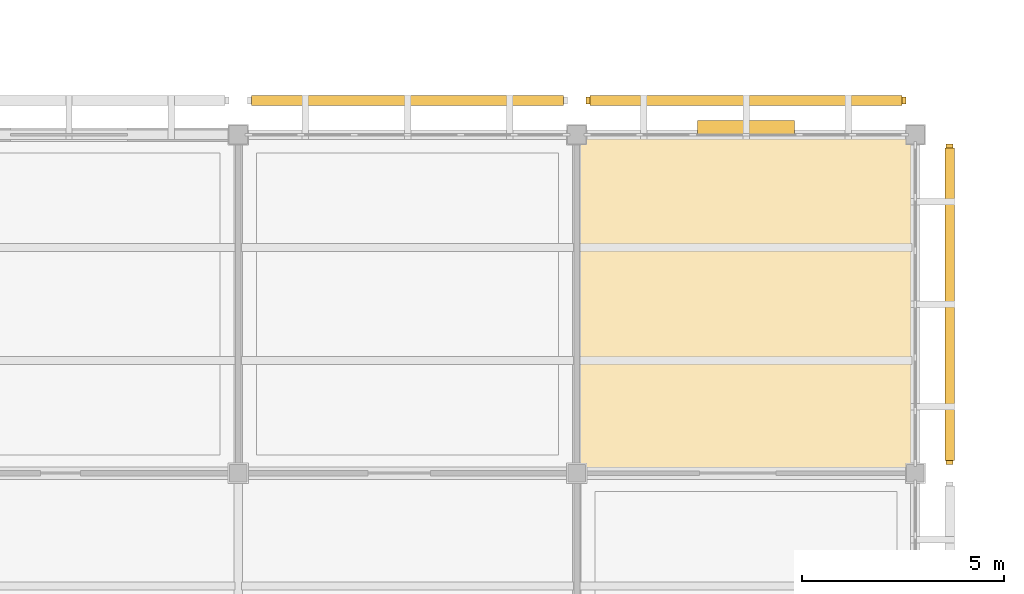
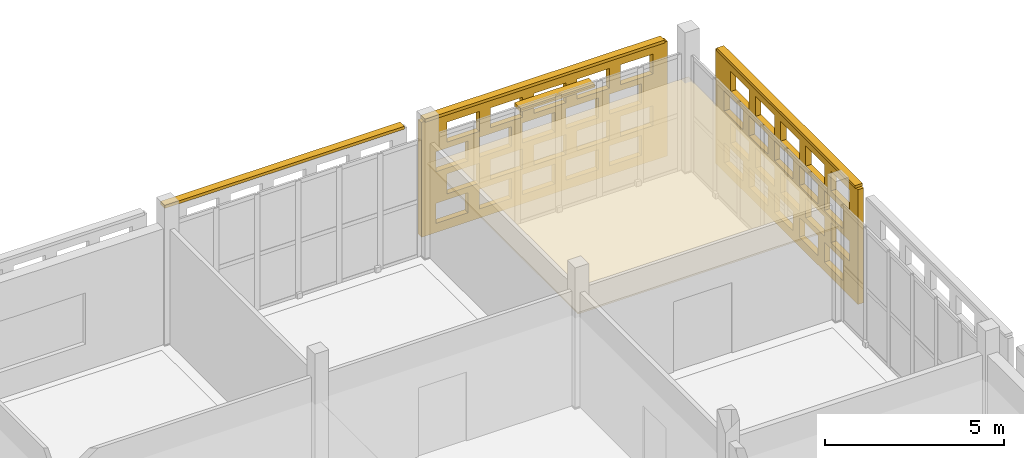
# One storey, part 203 of 203: 4 shading devices, 3 coverings, 40 openings.
"""IFC4 building model written with IfcOpenShell, lengths in metres."""

import ifcopenshell
import ifcopenshell.guid

model = None  # the IFC model being written
_history = None  # IfcOwnerHistory: only IFC2X3 demands one
_inside = {}  # id of a spatial element -> (the spatial element, [elements in it])
_under = {}  # id of a project, library or spatial element -> (it, [spatial elements below it])
_declared = {}  # id of a project -> (the project, [libraries it declares])
_typed = {}  # id of a type object -> (the type object, [elements of that type])
_made_of = {}  # id of a material, layer set ... -> (it, [elements and type objects made of it])


def new_model(schema):
    """Start an empty IFC model of exactly this schema.

    Asked for "IFC4X3", IfcOpenShell would pick the latest addendum, in which some entities
    have other attributes; the version numbers below select the first issue.
    IFC2X3 requires an IfcOwnerHistory on every rooted entity: one is made here for all.
    """
    global model, _history
    if schema == "IFC4X3":
        model = ifcopenshell.file(schema_version=(4, 3, 0, 0))
    else:
        model = ifcopenshell.file(schema=schema)
    _inside.clear()
    _under.clear()
    _declared.clear()
    _typed.clear()
    _made_of.clear()
    _history = None
    if model.schema == "IFC2X3":
        org = make("IfcOrganization", Name="unknown")
        user = make(
            "IfcPersonAndOrganization",
            ThePerson=make("IfcPerson", FamilyName="unknown"),
            TheOrganization=org,
        )
        app = make(
            "IfcApplication",
            ApplicationDeveloper=org,
            Version="unknown",
            ApplicationFullName="unknown",
            ApplicationIdentifier="unknown",
        )
        _history = make(
            "IfcOwnerHistory",
            OwningUser=user,
            OwningApplication=app,
            ChangeAction="ADDED",
            CreationDate=0,
        )
    return model


def make(cls, **values):
    """One entity of the class cls with the attributes given. An attribute that is None is left unset."""
    return model.create_entity(
        cls, **{name: value for name, value in values.items() if value is not None}
    )


def rooted(cls, **values):
    """An entity with a GlobalId (a new one), such as an element, a storey or a relation."""
    return make(cls, GlobalId=ifcopenshell.guid.new(), OwnerHistory=_history, **values)


def si_unit(unit_type, name, prefix=None):
    """IfcSIUnit, for example si_unit("LENGTHUNIT", "METRE", prefix="MILLI")."""
    return make("IfcSIUnit", UnitType=unit_type, Prefix=prefix, Name=name)


def assignment(units):
    """IfcUnitAssignment: the units of a project."""
    return None if units is None else make("IfcUnitAssignment", Units=units)


def point(xyz):
    """IfcCartesianPoint."""
    return None if xyz is None else make("IfcCartesianPoint", Coordinates=xyz)


def direction(xyz):
    """IfcDirection."""
    return None if xyz is None else make("IfcDirection", DirectionRatios=xyz)


def frame(location, z_axis=None, x_axis=None):
    """IfcAxis2Placement3D, a coordinate frame: its origin and axes. An axis left out is left unset."""
    return make(
        "IfcAxis2Placement3D",
        Location=point(location),
        Axis=direction(z_axis),
        RefDirection=direction(x_axis),
    )


def frame_2d(location, x_axis=None):
    """IfcAxis2Placement2D, a coordinate frame in the plane: its origin and x axis."""
    return make(
        "IfcAxis2Placement2D", Location=point(location), RefDirection=direction(x_axis)
    )


def origin():
    """The frame at (0, 0, 0) with its axes left unset."""
    return frame((0.0, 0.0, 0.0))


def origin_2d():
    """The frame at (0, 0) in the plane with its x axis left unset."""
    return frame_2d((0.0, 0.0))


def place(relative_to, where):
    """IfcLocalPlacement: puts the frame where relative to a parent placement (None: the world)."""
    return make(
        "IfcLocalPlacement", PlacementRelTo=relative_to, RelativePlacement=where
    )


def context(
    kind, dimensions, precision=None, world=None, true_north=None, identifier=None
):
    """IfcGeometricRepresentationContext, for example the 3D "Model" context."""
    return make(
        "IfcGeometricRepresentationContext",
        ContextIdentifier=identifier,
        ContextType=kind,
        CoordinateSpaceDimension=dimensions,
        Precision=precision,
        WorldCoordinateSystem=world,
        TrueNorth=true_north,
    )


def subcontext(parent, identifier, kind, view, scale=None):
    """IfcGeometricRepresentationSubContext, for example "Body" below "Model"."""
    return make(
        "IfcGeometricRepresentationSubContext",
        ContextIdentifier=identifier,
        ContextType=kind,
        ParentContext=parent,
        TargetScale=scale,
        TargetView=view,
    )


def project(units=None, contexts=None):
    """IfcProject with its units and contexts."""
    return rooted(
        "IfcProject",
        Name="project",
        RepresentationContexts=contexts,
        UnitsInContext=assignment(units),
    )


def spatial(cls, under=None, at=None, **own):
    """A site, building, storey or space (cls), placed at a placement, below another one or the project."""
    s = rooted(cls, ObjectPlacement=at, **own)
    if under is not None:
        _under.setdefault(under.id(), (under, []))[1].append(s)
    return s


def profile(cls, at=None, kind="AREA", **sizes):
    """A parametric profile (cls). Its sizes go by their IFC names, for example OverallWidth=200.0."""
    return make(cls, ProfileType=kind, Position=at, **sizes)


def rectangle(**sizes):
    """IfcRectangleProfileDef."""
    return profile("IfcRectangleProfileDef", **sizes)


def extrude(swept, where, along, depth):
    """IfcExtrudedAreaSolid: the profile swept, set in the frame where, extruded along a direction by depth."""
    return make(
        "IfcExtrudedAreaSolid",
        SweptArea=swept,
        Position=where,
        ExtrudedDirection=direction(along),
        Depth=depth,
    )


def shape(context_of_items, identifier, shape_type, items):
    """IfcShapeRepresentation: the items that make up one representation, for example the "Body"."""
    return make(
        "IfcShapeRepresentation",
        ContextOfItems=context_of_items,
        RepresentationIdentifier=identifier,
        RepresentationType=shape_type,
        Items=items,
    )


def material(Name=None, Category=None):
    """IfcMaterial."""
    return make("IfcMaterial", Name=Name, Category=Category)


def layer(
    of_material, thickness, ventilated=None, Name=None, Category=None, Priority=None
):
    """IfcMaterialLayer: one layer of a wall or slab, of a material (None: an air gap)."""
    return make(
        "IfcMaterialLayer",
        Material=of_material,
        LayerThickness=thickness,
        IsVentilated=ventilated,
        Name=Name,
        Category=Category,
        Priority=Priority,
    )


def layer_set(layers, Name=None):
    """IfcMaterialLayerSet."""
    return make("IfcMaterialLayerSet", MaterialLayers=layers, LayerSetName=Name)


def made_of(thing, what):
    """Note that an element or type object is made of a material, layer set ...; save() writes the relation."""
    if what is not None:
        _made_of.setdefault(what.id(), (what, []))[1].append(thing)
    return thing


def type_object(cls, material=None, **own):
    """A type object (cls), such as IfcWallType, which elements share."""
    return made_of(rooted(cls, **own), material)


def element(
    cls,
    number,
    at=None,
    inside=None,
    cuts=None,
    type_object=None,
    material=None,
    context=None,
    identifier="Body",
    shape_type=None,
    held_by="IfcProductDefinitionShape",
    body=None,
    shapes=None,
    **own,
):
    """One element of the class cls, such as IfcWall. Its Tag is "e" and its number.

    at: its placement. inside: the storey or other place that contains it. cuts: it is an
    opening in that element (IfcRelVoidsElement). A single representation is given by context,
    identifier, shape_type and body (its items); several are given by shapes. held_by: the class
    of the entity that holds the representations. save() writes the other relations.
    """
    e = rooted(cls, Tag="e%d" % number, ObjectPlacement=at, **own)
    if body is not None:
        shapes = [shape(context, identifier, shape_type, body)]
    if shapes is not None:
        e.Representation = make(held_by, Representations=shapes)
    if inside is not None:
        _inside.setdefault(inside.id(), (inside, []))[1].append(e)
    if cuts is not None:
        rooted(
            "IfcRelVoidsElement", RelatingBuildingElement=cuts, RelatedOpeningElement=e
        )
    if type_object is not None:
        _typed.setdefault(type_object.id(), (type_object, []))[1].append(e)
    return made_of(e, material)


def aggregate(whole, parts):
    """IfcRelAggregates: a whole, such as a stair, and the parts it consists of."""
    return rooted("IfcRelAggregates", RelatingObject=whole, RelatedObjects=parts)


def save(model, path):
    """Write the relations noted so far, then the file.

    IfcRelAggregates (storeys below a building ...), IfcRelContainedInSpatialStructure (elements
    in a storey), IfcRelDefinesByType, IfcRelAssociatesMaterial and IfcRelDeclares: one each for
    every whole, place, type object, material and project.
    """
    for whole, parts in _under.values():
        aggregate(whole, parts)
    for where, things in _inside.values():
        rooted(
            "IfcRelContainedInSpatialStructure",
            RelatedElements=things,
            RelatingStructure=where,
        )
    for kind, things in _typed.values():
        rooted("IfcRelDefinesByType", RelatedObjects=things, RelatingType=kind)
    for what, things in _made_of.values():
        rooted("IfcRelAssociatesMaterial", RelatedObjects=things, RelatingMaterial=what)
    for by, libraries in _declared.values():
        rooted("IfcRelDeclares", RelatingContext=by, RelatedDefinitions=libraries)
    model.write(path)


model = new_model("IFC4")

# Units and contexts
model_context = context("Model", 3, precision=1e-05, world=origin(), true_north=direction((0.0, 1.0)))
body_context = subcontext(model_context, "Body", "Model", "MODEL_VIEW")
ifc_project = project(units=[si_unit("LENGTHUNIT", "METRE"), si_unit("AREAUNIT", "SQUARE_METRE"), si_unit("VOLUMEUNIT", "CUBIC_METRE"), si_unit("PLANEANGLEUNIT", "RADIAN"), si_unit("MASSUNIT", "GRAM", prefix="KILO")], contexts=[model_context])

# Site, building, storey
site_placement = place(None, origin())
site = spatial("IfcSite", under=ifc_project, at=site_placement, CompositionType="ELEMENT")
building_placement = place(site_placement, origin())
building = spatial("IfcBuilding", under=site, at=building_placement, Name="Varnapada Polytechnic", CompositionType="ELEMENT")
storey_placement = place(building_placement, frame((0.0, 0.0, 4.800048828125)))
storey = spatial("IfcBuildingStorey", under=building, at=storey_placement, Name="L01", CompositionType="ELEMENT", Elevation=4.800048828125)

# Shading device
ifc_material_1 = material(Name="Anodised aluminium", Category="aluminium")
ifc_layer_1 = layer(ifc_material_1, 0.35009765625)
ifc_layer_set_1 = layer_set([ifc_layer_1], Name="Anodised aluminium")
shading_device_type_1 = type_object("IfcShadingDeviceType", Name="Solar Louvre LVR-01", PredefinedType="JALOUSIE", material=ifc_layer_set_1)
shading_device_1_placement = place(storey_placement, frame((172.199951171875, 117.780029296875, 3.760009765625), z_axis=(0.0, 0.0, 1.0), x_axis=(1.0, 0.0, 0.0)))
element("IfcShadingDevice", 1, at=shading_device_1_placement, inside=storey, type_object=shading_device_type_1, Name="L01 aluminium sun louvre 151", PredefinedType="JALOUSIE", context=body_context, shape_type="SweptSolid", body=[
    extrude(rectangle(XDim=2.39990234375, YDim=0.340087890625, at=origin_2d()), origin(), (0.0, 0.0, 1.0), 0.1201171875),
])

# Covering
ifc_material_2 = material(Name="Slatted Merbau Timber Acoustic Ceiling", Category="wood")
ifc_layer_2 = layer(ifc_material_2, 0.054931640625)
ifc_layer_set_2 = layer_set([ifc_layer_2], Name="Slatted Merbau Timber Acoustic Ceiling")
covering_type_1 = type_object("IfcCoveringType", Name="Suspended Ceiling CLG-05", PredefinedType="CEILING", material=ifc_layer_set_2)
covering_1_placement = place(storey_placement, frame((172.199951171875, 113.39990234375, 3.0224609375), z_axis=(0.0, 0.0, 1.0), x_axis=(1.0, 0.0, 0.0)))
element("IfcCovering", 2, at=covering_1_placement, inside=storey, type_object=covering_type_1, Name="L01 suspended acoustic ceiling (21,14)", PredefinedType="CEILING", context=body_context, shape_type="SweptSolid", body=[
    extrude(rectangle(XDim=8.419921875, YDim=8.419921875, at=origin_2d()), origin(), (0.0, 0.0, 1.0), 0.054931640625),
])

# Covering, openings
ifc_material_3 = material(Name="Earth-toned architectural terracotta screen block", Category="masonry")
ifc_layer_3 = layer(ifc_material_3, 0.1201171875)
ifc_layer_set_3 = layer_set([ifc_layer_3], Name="Earth-toned architectural terracotta screen block")
covering_type_2 = type_object("IfcCoveringType", Name="Terracotta Screen Cladding CLD-01", PredefinedType="CLADDING", material=ifc_layer_set_3)
covering_2_placement = place(storey_placement, frame((168.22998046875, 118.449951171875, 0.0), z_axis=(0.0, 0.0, 1.0), x_axis=(1.0, 0.0, 0.0)))
covering_2 = element("IfcCovering", 3, at=covering_2_placement, inside=storey, type_object=covering_type_2, Name="L01 perforated terracotta block screen (151)", PredefinedType="CLADDING", context=body_context, shape_type="SweptSolid", body=[
    extrude(rectangle(XDim=7.93994140625, YDim=0.179931640625, at=frame_2d((3.969970703125, 0.0))), origin(), (0.0, 0.0, 1.0), 3.919921875),
])
opening_1_placement = place(covering_2_placement, frame((0.469970703125, 0.0, 0.313720703125)))
element("IfcOpeningElement", 4, at=opening_1_placement, cuts=covering_2, Name="Screen perforation TBS-L01-150.1", PredefinedType="OPENING", context=body_context, shape_type="SweptSolid", body=[
    extrude(rectangle(XDim=1.0400390625, YDim=0.679931640625, at=frame_2d((0.52001953125, 0.33984375))), frame((0.0, 0.099853515625, 0.0), z_axis=(0.0, -1.0, 0.0), x_axis=(1.0, 0.0, 0.0)), (0.0, 0.0, 1.0), 0.199951171875),
])
opening_2_placement = place(covering_2_placement, frame((1.8701171875, 0.0, 0.313720703125)))
element("IfcOpeningElement", 5, at=opening_2_placement, cuts=covering_2, Name="Screen perforation TBS-L01-150.2", PredefinedType="OPENING", context=body_context, shape_type="SweptSolid", body=[
    extrude(rectangle(XDim=1.0400390625, YDim=0.679931640625, at=frame_2d((0.52001953125, 0.33984375))), frame((0.0, 0.099853515625, 0.0), z_axis=(0.0, -1.0, 0.0), x_axis=(1.0, 0.0, 0.0)), (0.0, 0.0, 1.0), 0.199951171875),
])
opening_3_placement = place(covering_2_placement, frame((3.27001953125, 0.0, 0.313720703125)))
element("IfcOpeningElement", 6, at=opening_3_placement, cuts=covering_2, Name="Screen perforation TBS-L01-150.3", PredefinedType="OPENING", context=body_context, shape_type="SweptSolid", body=[
    extrude(rectangle(XDim=1.0400390625, YDim=0.679931640625, at=frame_2d((0.52001953125, 0.33984375))), frame((0.0, 0.099853515625, 0.0), z_axis=(0.0, -1.0, 0.0), x_axis=(1.0, 0.0, 0.0)), (0.0, 0.0, 1.0), 0.199951171875),
])
opening_4_placement = place(covering_2_placement, frame((4.669921875, 0.0, 0.313720703125)))
element("IfcOpeningElement", 7, at=opening_4_placement, cuts=covering_2, Name="Screen perforation TBS-L01-150.4", PredefinedType="OPENING", context=body_context, shape_type="SweptSolid", body=[
    extrude(rectangle(XDim=1.0400390625, YDim=0.679931640625, at=frame_2d((0.52001953125, 0.33984375))), frame((0.0, 0.099853515625, 0.0), z_axis=(0.0, -1.0, 0.0), x_axis=(1.0, 0.0, 0.0)), (0.0, 0.0, 1.0), 0.199951171875),
])
opening_5_placement = place(covering_2_placement, frame((6.070068359375, 0.0, 0.313720703125)))
element("IfcOpeningElement", 8, at=opening_5_placement, cuts=covering_2, Name="Screen perforation TBS-L01-150.5", PredefinedType="OPENING", context=body_context, shape_type="SweptSolid", body=[
    extrude(rectangle(XDim=1.0400390625, YDim=0.679931640625, at=frame_2d((0.52001953125, 0.33984375))), frame((0.0, 0.099853515625, 0.0), z_axis=(0.0, -1.0, 0.0), x_axis=(1.0, 0.0, 0.0)), (0.0, 0.0, 1.0), 0.199951171875),
])
opening_6_placement = place(covering_2_placement, frame((0.830078125, 0.0, 1.195556640625)))
element("IfcOpeningElement", 9, at=opening_6_placement, cuts=covering_2, Name="Screen perforation TBS-L01-150.6", PredefinedType="OPENING", context=body_context, shape_type="SweptSolid", body=[
    extrude(rectangle(XDim=1.0400390625, YDim=0.679931640625, at=frame_2d((0.52001953125, 0.33984375))), frame((0.0, 0.099853515625, 0.0), z_axis=(0.0, -1.0, 0.0), x_axis=(1.0, 0.0, 0.0)), (0.0, 0.0, 1.0), 0.199951171875),
])
opening_7_placement = place(covering_2_placement, frame((2.22998046875, 0.0, 1.195556640625)))
element("IfcOpeningElement", 10, at=opening_7_placement, cuts=covering_2, Name="Screen perforation TBS-L01-150.7", PredefinedType="OPENING", context=body_context, shape_type="SweptSolid", body=[
    extrude(rectangle(XDim=1.0400390625, YDim=0.679931640625, at=frame_2d((0.52001953125, 0.33984375))), frame((0.0, 0.099853515625, 0.0), z_axis=(0.0, -1.0, 0.0), x_axis=(1.0, 0.0, 0.0)), (0.0, 0.0, 1.0), 0.199951171875),
])
opening_8_placement = place(covering_2_placement, frame((3.6298828125, 0.0, 1.195556640625)))
element("IfcOpeningElement", 11, at=opening_8_placement, cuts=covering_2, Name="Screen perforation TBS-L01-150.8", PredefinedType="OPENING", context=body_context, shape_type="SweptSolid", body=[
    extrude(rectangle(XDim=1.0400390625, YDim=0.679931640625, at=frame_2d((0.52001953125, 0.33984375))), frame((0.0, 0.099853515625, 0.0), z_axis=(0.0, -1.0, 0.0), x_axis=(1.0, 0.0, 0.0)), (0.0, 0.0, 1.0), 0.199951171875),
])
opening_9_placement = place(covering_2_placement, frame((5.030029296875, 0.0, 1.195556640625)))
element("IfcOpeningElement", 12, at=opening_9_placement, cuts=covering_2, Name="Screen perforation TBS-L01-150.9", PredefinedType="OPENING", context=body_context, shape_type="SweptSolid", body=[
    extrude(rectangle(XDim=1.0400390625, YDim=0.679931640625, at=frame_2d((0.52001953125, 0.33984375))), frame((0.0, 0.099853515625, 0.0), z_axis=(0.0, -1.0, 0.0), x_axis=(1.0, 0.0, 0.0)), (0.0, 0.0, 1.0), 0.199951171875),
])
opening_10_placement = place(covering_2_placement, frame((6.429931640625, 0.0, 1.195556640625)))
element("IfcOpeningElement", 13, at=opening_10_placement, cuts=covering_2, Name="Screen perforation TBS-L01-150.10", PredefinedType="OPENING", context=body_context, shape_type="SweptSolid", body=[
    extrude(rectangle(XDim=1.0400390625, YDim=0.679931640625, at=frame_2d((0.52001953125, 0.33984375))), frame((0.0, 0.099853515625, 0.0), z_axis=(0.0, -1.0, 0.0), x_axis=(1.0, 0.0, 0.0)), (0.0, 0.0, 1.0), 0.199951171875),
])
opening_11_placement = place(covering_2_placement, frame((0.469970703125, 0.0, 2.07763671875)))
element("IfcOpeningElement", 14, at=opening_11_placement, cuts=covering_2, Name="Screen perforation TBS-L01-150.11", PredefinedType="OPENING", context=body_context, shape_type="SweptSolid", body=[
    extrude(rectangle(XDim=1.0400390625, YDim=0.679931640625, at=frame_2d((0.52001953125, 0.33984375))), frame((0.0, 0.099853515625, 0.0), z_axis=(0.0, -1.0, 0.0), x_axis=(1.0, 0.0, 0.0)), (0.0, 0.0, 1.0), 0.199951171875),
])
opening_12_placement = place(covering_2_placement, frame((1.8701171875, 0.0, 2.07763671875)))
element("IfcOpeningElement", 15, at=opening_12_placement, cuts=covering_2, Name="Screen perforation TBS-L01-150.12", PredefinedType="OPENING", context=body_context, shape_type="SweptSolid", body=[
    extrude(rectangle(XDim=1.0400390625, YDim=0.679931640625, at=frame_2d((0.52001953125, 0.33984375))), frame((0.0, 0.099853515625, 0.0), z_axis=(0.0, -1.0, 0.0), x_axis=(1.0, 0.0, 0.0)), (0.0, 0.0, 1.0), 0.199951171875),
])
opening_13_placement = place(covering_2_placement, frame((3.27001953125, 0.0, 2.07763671875)))
element("IfcOpeningElement", 16, at=opening_13_placement, cuts=covering_2, Name="Screen perforation TBS-L01-150.13", PredefinedType="OPENING", context=body_context, shape_type="SweptSolid", body=[
    extrude(rectangle(XDim=1.0400390625, YDim=0.679931640625, at=frame_2d((0.52001953125, 0.33984375))), frame((0.0, 0.099853515625, 0.0), z_axis=(0.0, -1.0, 0.0), x_axis=(1.0, 0.0, 0.0)), (0.0, 0.0, 1.0), 0.199951171875),
])
opening_14_placement = place(covering_2_placement, frame((4.669921875, 0.0, 2.07763671875)))
element("IfcOpeningElement", 17, at=opening_14_placement, cuts=covering_2, Name="Screen perforation TBS-L01-150.14", PredefinedType="OPENING", context=body_context, shape_type="SweptSolid", body=[
    extrude(rectangle(XDim=1.0400390625, YDim=0.679931640625, at=frame_2d((0.52001953125, 0.33984375))), frame((0.0, 0.099853515625, 0.0), z_axis=(0.0, -1.0, 0.0), x_axis=(1.0, 0.0, 0.0)), (0.0, 0.0, 1.0), 0.199951171875),
])
opening_15_placement = place(covering_2_placement, frame((6.070068359375, 0.0, 2.07763671875)))
element("IfcOpeningElement", 18, at=opening_15_placement, cuts=covering_2, Name="Screen perforation TBS-L01-150.15", PredefinedType="OPENING", context=body_context, shape_type="SweptSolid", body=[
    extrude(rectangle(XDim=1.0400390625, YDim=0.679931640625, at=frame_2d((0.52001953125, 0.33984375))), frame((0.0, 0.099853515625, 0.0), z_axis=(0.0, -1.0, 0.0), x_axis=(1.0, 0.0, 0.0)), (0.0, 0.0, 1.0), 0.199951171875),
])
opening_16_placement = place(covering_2_placement, frame((0.830078125, 0.0, 2.959716796875)))
element("IfcOpeningElement", 19, at=opening_16_placement, cuts=covering_2, Name="Screen perforation TBS-L01-150.16", PredefinedType="OPENING", context=body_context, shape_type="SweptSolid", body=[
    extrude(rectangle(XDim=1.0400390625, YDim=0.679931640625, at=frame_2d((0.52001953125, 0.33984375))), frame((0.0, 0.099853515625, 0.0), z_axis=(0.0, -1.0, 0.0), x_axis=(1.0, 0.0, 0.0)), (0.0, 0.0, 1.0), 0.199951171875),
])
opening_17_placement = place(covering_2_placement, frame((2.22998046875, 0.0, 2.959716796875)))
element("IfcOpeningElement", 20, at=opening_17_placement, cuts=covering_2, Name="Screen perforation TBS-L01-150.17", PredefinedType="OPENING", context=body_context, shape_type="SweptSolid", body=[
    extrude(rectangle(XDim=1.0400390625, YDim=0.679931640625, at=frame_2d((0.52001953125, 0.33984375))), frame((0.0, 0.099853515625, 0.0), z_axis=(0.0, -1.0, 0.0), x_axis=(1.0, 0.0, 0.0)), (0.0, 0.0, 1.0), 0.199951171875),
])
opening_18_placement = place(covering_2_placement, frame((3.6298828125, 0.0, 2.959716796875)))
element("IfcOpeningElement", 21, at=opening_18_placement, cuts=covering_2, Name="Screen perforation TBS-L01-150.18", PredefinedType="OPENING", context=body_context, shape_type="SweptSolid", body=[
    extrude(rectangle(XDim=1.0400390625, YDim=0.679931640625, at=frame_2d((0.52001953125, 0.33984375))), frame((0.0, 0.099853515625, 0.0), z_axis=(0.0, -1.0, 0.0), x_axis=(1.0, 0.0, 0.0)), (0.0, 0.0, 1.0), 0.199951171875),
])
opening_19_placement = place(covering_2_placement, frame((5.030029296875, 0.0, 2.959716796875)))
element("IfcOpeningElement", 22, at=opening_19_placement, cuts=covering_2, Name="Screen perforation TBS-L01-150.19", PredefinedType="OPENING", context=body_context, shape_type="SweptSolid", body=[
    extrude(rectangle(XDim=1.0400390625, YDim=0.679931640625, at=frame_2d((0.52001953125, 0.33984375))), frame((0.0, 0.099853515625, 0.0), z_axis=(0.0, -1.0, 0.0), x_axis=(1.0, 0.0, 0.0)), (0.0, 0.0, 1.0), 0.199951171875),
])
opening_20_placement = place(covering_2_placement, frame((6.429931640625, 0.0, 2.959716796875)))
element("IfcOpeningElement", 23, at=opening_20_placement, cuts=covering_2, Name="Screen perforation TBS-L01-150.20", PredefinedType="OPENING", context=body_context, shape_type="SweptSolid", body=[
    extrude(rectangle(XDim=1.0400390625, YDim=0.679931640625, at=frame_2d((0.52001953125, 0.33984375))), frame((0.0, 0.099853515625, 0.0), z_axis=(0.0, -1.0, 0.0), x_axis=(1.0, 0.0, 0.0)), (0.0, 0.0, 1.0), 0.199951171875),
])

covering_3_placement = place(storey_placement, frame((177.25, 117.3701171875, 0.0), z_axis=(0.0, 0.0, 1.0), x_axis=(0.0, -1.0, 0.0)))
covering_3 = element("IfcCovering", 24, at=covering_3_placement, inside=storey, type_object=covering_type_2, Name="L01 perforated terracotta block screen (152)", PredefinedType="CLADDING", context=body_context, shape_type="SweptSolid", body=[
    extrude(rectangle(XDim=7.9501953125, YDim=0.179931640625, at=frame_2d((3.97509765625, 0.0))), origin(), (0.0, 0.0, 1.0), 3.919921875),
])
opening_21_placement = place(covering_3_placement, frame((0.47509765625, 0.0, 0.313720703125)))
element("IfcOpeningElement", 25, at=opening_21_placement, cuts=covering_3, Name="Screen perforation TBS-L01-151.1", PredefinedType="OPENING", context=body_context, shape_type="SweptSolid", body=[
    extrude(rectangle(XDim=1.0400390625, YDim=0.679931640625, at=frame_2d((0.52001953125, 0.33984375))), frame((0.0, 0.099853515625, 0.0), z_axis=(0.0, -1.0, 0.0), x_axis=(1.0, 0.0, 0.0)), (0.0, 0.0, 1.0), 0.199951171875),
])
opening_22_placement = place(covering_3_placement, frame((1.875, 0.0, 0.313720703125)))
element("IfcOpeningElement", 26, at=opening_22_placement, cuts=covering_3, Name="Screen perforation TBS-L01-151.2", PredefinedType="OPENING", context=body_context, shape_type="SweptSolid", body=[
    extrude(rectangle(XDim=1.0400390625, YDim=0.679931640625, at=frame_2d((0.52001953125, 0.33984375))), frame((0.0, 0.099853515625, 0.0), z_axis=(0.0, -1.0, 0.0), x_axis=(1.0, 0.0, 0.0)), (0.0, 0.0, 1.0), 0.199951171875),
])
opening_23_placement = place(covering_3_placement, frame((3.27490234375, 0.0, 0.313720703125)))
element("IfcOpeningElement", 27, at=opening_23_placement, cuts=covering_3, Name="Screen perforation TBS-L01-151.3", PredefinedType="OPENING", context=body_context, shape_type="SweptSolid", body=[
    extrude(rectangle(XDim=1.0400390625, YDim=0.679931640625, at=frame_2d((0.52001953125, 0.33984375))), frame((0.0, 0.099853515625, 0.0), z_axis=(0.0, -1.0, 0.0), x_axis=(1.0, 0.0, 0.0)), (0.0, 0.0, 1.0), 0.199951171875),
])
opening_24_placement = place(covering_3_placement, frame((4.675048828125, 0.0, 0.313720703125)))
element("IfcOpeningElement", 28, at=opening_24_placement, cuts=covering_3, Name="Screen perforation TBS-L01-151.4", PredefinedType="OPENING", context=body_context, shape_type="SweptSolid", body=[
    extrude(rectangle(XDim=1.0400390625, YDim=0.679931640625, at=frame_2d((0.52001953125, 0.33984375))), frame((0.0, 0.099853515625, 0.0), z_axis=(0.0, -1.0, 0.0), x_axis=(1.0, 0.0, 0.0)), (0.0, 0.0, 1.0), 0.199951171875),
])
opening_25_placement = place(covering_3_placement, frame((6.074951171875, 0.0, 0.313720703125)))
element("IfcOpeningElement", 29, at=opening_25_placement, cuts=covering_3, Name="Screen perforation TBS-L01-151.5", PredefinedType="OPENING", context=body_context, shape_type="SweptSolid", body=[
    extrude(rectangle(XDim=1.0400390625, YDim=0.679931640625, at=frame_2d((0.52001953125, 0.33984375))), frame((0.0, 0.099853515625, 0.0), z_axis=(0.0, -1.0, 0.0), x_axis=(1.0, 0.0, 0.0)), (0.0, 0.0, 1.0), 0.199951171875),
])
opening_26_placement = place(covering_3_placement, frame((0.8349609375, 0.0, 1.195556640625)))
element("IfcOpeningElement", 30, at=opening_26_placement, cuts=covering_3, Name="Screen perforation TBS-L01-151.6", PredefinedType="OPENING", context=body_context, shape_type="SweptSolid", body=[
    extrude(rectangle(XDim=1.0400390625, YDim=0.679931640625, at=frame_2d((0.52001953125, 0.33984375))), frame((0.0, 0.099853515625, 0.0), z_axis=(0.0, -1.0, 0.0), x_axis=(1.0, 0.0, 0.0)), (0.0, 0.0, 1.0), 0.199951171875),
])
opening_27_placement = place(covering_3_placement, frame((2.235107421875, 0.0, 1.195556640625)))
element("IfcOpeningElement", 31, at=opening_27_placement, cuts=covering_3, Name="Screen perforation TBS-L01-151.7", PredefinedType="OPENING", context=body_context, shape_type="SweptSolid", body=[
    extrude(rectangle(XDim=1.0400390625, YDim=0.679931640625, at=frame_2d((0.52001953125, 0.33984375))), frame((0.0, 0.099853515625, 0.0), z_axis=(0.0, -1.0, 0.0), x_axis=(1.0, 0.0, 0.0)), (0.0, 0.0, 1.0), 0.199951171875),
])
opening_28_placement = place(covering_3_placement, frame((3.635009765625, 0.0, 1.195556640625)))
element("IfcOpeningElement", 32, at=opening_28_placement, cuts=covering_3, Name="Screen perforation TBS-L01-151.8", PredefinedType="OPENING", context=body_context, shape_type="SweptSolid", body=[
    extrude(rectangle(XDim=1.0400390625, YDim=0.679931640625, at=frame_2d((0.52001953125, 0.33984375))), frame((0.0, 0.099853515625, 0.0), z_axis=(0.0, -1.0, 0.0), x_axis=(1.0, 0.0, 0.0)), (0.0, 0.0, 1.0), 0.199951171875),
])
opening_29_placement = place(covering_3_placement, frame((5.034912109375, 0.0, 1.195556640625)))
element("IfcOpeningElement", 33, at=opening_29_placement, cuts=covering_3, Name="Screen perforation TBS-L01-151.9", PredefinedType="OPENING", context=body_context, shape_type="SweptSolid", body=[
    extrude(rectangle(XDim=1.0400390625, YDim=0.679931640625, at=frame_2d((0.52001953125, 0.33984375))), frame((0.0, 0.099853515625, 0.0), z_axis=(0.0, -1.0, 0.0), x_axis=(1.0, 0.0, 0.0)), (0.0, 0.0, 1.0), 0.199951171875),
])
opening_30_placement = place(covering_3_placement, frame((6.43505859375, 0.0, 1.195556640625)))
element("IfcOpeningElement", 34, at=opening_30_placement, cuts=covering_3, Name="Screen perforation TBS-L01-151.10", PredefinedType="OPENING", context=body_context, shape_type="SweptSolid", body=[
    extrude(rectangle(XDim=1.0400390625, YDim=0.679931640625, at=frame_2d((0.52001953125, 0.33984375))), frame((0.0, 0.099853515625, 0.0), z_axis=(0.0, -1.0, 0.0), x_axis=(1.0, 0.0, 0.0)), (0.0, 0.0, 1.0), 0.199951171875),
])
opening_31_placement = place(covering_3_placement, frame((0.47509765625, 0.0, 2.07763671875)))
element("IfcOpeningElement", 35, at=opening_31_placement, cuts=covering_3, Name="Screen perforation TBS-L01-151.11", PredefinedType="OPENING", context=body_context, shape_type="SweptSolid", body=[
    extrude(rectangle(XDim=1.0400390625, YDim=0.679931640625, at=frame_2d((0.52001953125, 0.33984375))), frame((0.0, 0.099853515625, 0.0), z_axis=(0.0, -1.0, 0.0), x_axis=(1.0, 0.0, 0.0)), (0.0, 0.0, 1.0), 0.199951171875),
])
opening_32_placement = place(covering_3_placement, frame((1.875, 0.0, 2.07763671875)))
element("IfcOpeningElement", 36, at=opening_32_placement, cuts=covering_3, Name="Screen perforation TBS-L01-151.12", PredefinedType="OPENING", context=body_context, shape_type="SweptSolid", body=[
    extrude(rectangle(XDim=1.0400390625, YDim=0.679931640625, at=frame_2d((0.52001953125, 0.33984375))), frame((0.0, 0.099853515625, 0.0), z_axis=(0.0, -1.0, 0.0), x_axis=(1.0, 0.0, 0.0)), (0.0, 0.0, 1.0), 0.199951171875),
])
opening_33_placement = place(covering_3_placement, frame((3.27490234375, 0.0, 2.07763671875)))
element("IfcOpeningElement", 37, at=opening_33_placement, cuts=covering_3, Name="Screen perforation TBS-L01-151.13", PredefinedType="OPENING", context=body_context, shape_type="SweptSolid", body=[
    extrude(rectangle(XDim=1.0400390625, YDim=0.679931640625, at=frame_2d((0.52001953125, 0.33984375))), frame((0.0, 0.099853515625, 0.0), z_axis=(0.0, -1.0, 0.0), x_axis=(1.0, 0.0, 0.0)), (0.0, 0.0, 1.0), 0.199951171875),
])
opening_34_placement = place(covering_3_placement, frame((4.675048828125, 0.0, 2.07763671875)))
element("IfcOpeningElement", 38, at=opening_34_placement, cuts=covering_3, Name="Screen perforation TBS-L01-151.14", PredefinedType="OPENING", context=body_context, shape_type="SweptSolid", body=[
    extrude(rectangle(XDim=1.0400390625, YDim=0.679931640625, at=frame_2d((0.52001953125, 0.33984375))), frame((0.0, 0.099853515625, 0.0), z_axis=(0.0, -1.0, 0.0), x_axis=(1.0, 0.0, 0.0)), (0.0, 0.0, 1.0), 0.199951171875),
])
opening_35_placement = place(covering_3_placement, frame((6.074951171875, 0.0, 2.07763671875)))
element("IfcOpeningElement", 39, at=opening_35_placement, cuts=covering_3, Name="Screen perforation TBS-L01-151.15", PredefinedType="OPENING", context=body_context, shape_type="SweptSolid", body=[
    extrude(rectangle(XDim=1.0400390625, YDim=0.679931640625, at=frame_2d((0.52001953125, 0.33984375))), frame((0.0, 0.099853515625, 0.0), z_axis=(0.0, -1.0, 0.0), x_axis=(1.0, 0.0, 0.0)), (0.0, 0.0, 1.0), 0.199951171875),
])
opening_36_placement = place(covering_3_placement, frame((0.8349609375, 0.0, 2.959716796875)))
element("IfcOpeningElement", 40, at=opening_36_placement, cuts=covering_3, Name="Screen perforation TBS-L01-151.16", PredefinedType="OPENING", context=body_context, shape_type="SweptSolid", body=[
    extrude(rectangle(XDim=1.0400390625, YDim=0.679931640625, at=frame_2d((0.52001953125, 0.33984375))), frame((0.0, 0.099853515625, 0.0), z_axis=(0.0, -1.0, 0.0), x_axis=(1.0, 0.0, 0.0)), (0.0, 0.0, 1.0), 0.199951171875),
])
opening_37_placement = place(covering_3_placement, frame((2.235107421875, 0.0, 2.959716796875)))
element("IfcOpeningElement", 41, at=opening_37_placement, cuts=covering_3, Name="Screen perforation TBS-L01-151.17", PredefinedType="OPENING", context=body_context, shape_type="SweptSolid", body=[
    extrude(rectangle(XDim=1.0400390625, YDim=0.679931640625, at=frame_2d((0.52001953125, 0.33984375))), frame((0.0, 0.099853515625, 0.0), z_axis=(0.0, -1.0, 0.0), x_axis=(1.0, 0.0, 0.0)), (0.0, 0.0, 1.0), 0.199951171875),
])
opening_38_placement = place(covering_3_placement, frame((3.635009765625, 0.0, 2.959716796875)))
element("IfcOpeningElement", 42, at=opening_38_placement, cuts=covering_3, Name="Screen perforation TBS-L01-151.18", PredefinedType="OPENING", context=body_context, shape_type="SweptSolid", body=[
    extrude(rectangle(XDim=1.0400390625, YDim=0.679931640625, at=frame_2d((0.52001953125, 0.33984375))), frame((0.0, 0.099853515625, 0.0), z_axis=(0.0, -1.0, 0.0), x_axis=(1.0, 0.0, 0.0)), (0.0, 0.0, 1.0), 0.199951171875),
])
opening_39_placement = place(covering_3_placement, frame((5.034912109375, 0.0, 2.959716796875)))
element("IfcOpeningElement", 43, at=opening_39_placement, cuts=covering_3, Name="Screen perforation TBS-L01-151.19", PredefinedType="OPENING", context=body_context, shape_type="SweptSolid", body=[
    extrude(rectangle(XDim=1.0400390625, YDim=0.679931640625, at=frame_2d((0.52001953125, 0.33984375))), frame((0.0, 0.099853515625, 0.0), z_axis=(0.0, -1.0, 0.0), x_axis=(1.0, 0.0, 0.0)), (0.0, 0.0, 1.0), 0.199951171875),
])
opening_40_placement = place(covering_3_placement, frame((6.43505859375, 0.0, 2.959716796875)))
element("IfcOpeningElement", 44, at=opening_40_placement, cuts=covering_3, Name="Screen perforation TBS-L01-151.20", PredefinedType="OPENING", context=body_context, shape_type="SweptSolid", body=[
    extrude(rectangle(XDim=1.0400390625, YDim=0.679931640625, at=frame_2d((0.52001953125, 0.33984375))), frame((0.0, 0.099853515625, 0.0), z_axis=(0.0, -1.0, 0.0), x_axis=(1.0, 0.0, 0.0)), (0.0, 0.0, 1.0), 0.199951171875),
])

# Shading devices
ifc_layer_4 = layer(ifc_material_3, 0.179931640625)
ifc_layer_set_4 = layer_set([ifc_layer_4], Name="Earth-toned architectural terracotta screen block")
shading_device_type_2 = type_object("IfcShadingDeviceType", Name="Terracotta Screen SCR-02", PredefinedType="USERDEFINED", material=ifc_layer_set_4)
for number, where, z_axis, x_axis, name in (
    (45, (163.800048828125, 118.449951171875, 3.909912109375), (0.0, 0.0, 1.0), (1.0, 0.0, 0.0), "L01 perforated terracotta screen hood 213"),
    (46, (172.199951171875, 118.449951171875, 3.909912109375), (0.0, 0.0, 1.0), (1.0, 0.0, 0.0), "L01 perforated terracotta screen hood 229"),
):
    element("IfcShadingDevice", number, at=place(storey_placement, frame(where, z_axis=z_axis, x_axis=x_axis)), inside=storey, type_object=shading_device_type_2, Name=name, ObjectType="SCREEN", PredefinedType="USERDEFINED", context=body_context, shape_type="SweptSolid", body=[
        extrude(rectangle(XDim=7.739990234375, YDim=0.239990234375, at=origin_2d()), origin(), (0.0, 0.0, 1.0), 0.10009765625),
    ])
shading_device_2_placement = place(storey_placement, frame((177.25, 113.39501953125, 3.909912109375), z_axis=(0.0, 0.0, 1.0), x_axis=(0.0, -1.0, 0.0)))
element("IfcShadingDevice", 47, at=shading_device_2_placement, inside=storey, type_object=shading_device_type_2, Name="L01 perforated terracotta screen hood 230", ObjectType="SCREEN", PredefinedType="USERDEFINED", context=body_context, shape_type="SweptSolid", body=[
    extrude(rectangle(XDim=7.75, YDim=0.239990234375, at=origin_2d()), origin(), (0.0, 0.0, 1.0), 0.10009765625),
])

save(model, "model.ifc")
